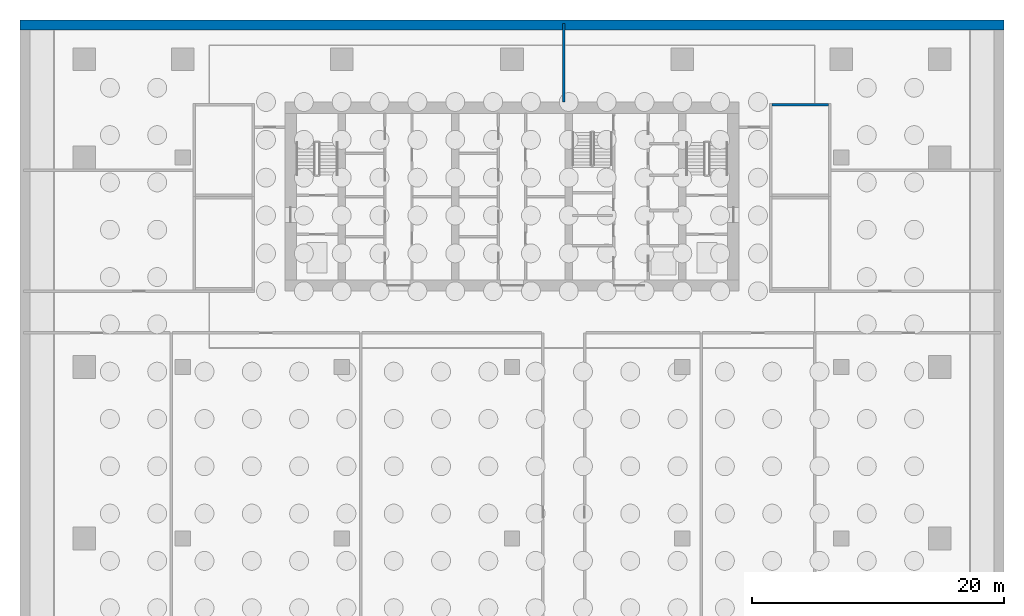
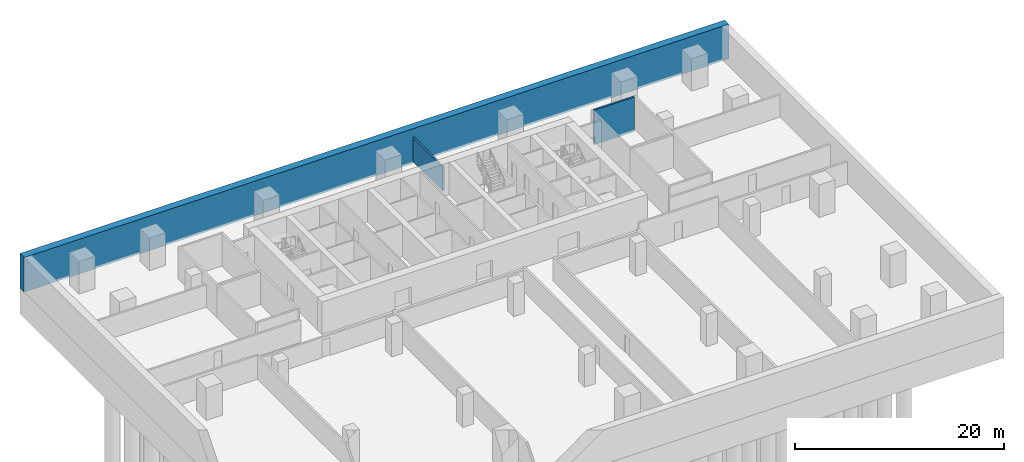
# One storey, part 7 of 10: 3 walls.
"""IFC4 building model written with IfcOpenShell, lengths in metres."""

import ifcopenshell
import ifcopenshell.guid

model = None  # the IFC model being written
_history = None  # IfcOwnerHistory: only IFC2X3 demands one
_inside = {}  # id of a spatial element -> (the spatial element, [elements in it])
_under = {}  # id of a project, library or spatial element -> (it, [spatial elements below it])
_declared = {}  # id of a project -> (the project, [libraries it declares])
_typed = {}  # id of a type object -> (the type object, [elements of that type])
_made_of = {}  # id of a material, layer set ... -> (it, [elements and type objects made of it])


def new_model(schema):
    """Start an empty IFC model of exactly this schema.

    Asked for "IFC4X3", IfcOpenShell would pick the latest addendum, in which some entities
    have other attributes; the version numbers below select the first issue.
    IFC2X3 requires an IfcOwnerHistory on every rooted entity: one is made here for all.
    """
    global model, _history
    if schema == "IFC4X3":
        model = ifcopenshell.file(schema_version=(4, 3, 0, 0))
    else:
        model = ifcopenshell.file(schema=schema)
    _inside.clear()
    _under.clear()
    _declared.clear()
    _typed.clear()
    _made_of.clear()
    _history = None
    if model.schema == "IFC2X3":
        org = make("IfcOrganization", Name="unknown")
        user = make(
            "IfcPersonAndOrganization",
            ThePerson=make("IfcPerson", FamilyName="unknown"),
            TheOrganization=org,
        )
        app = make(
            "IfcApplication",
            ApplicationDeveloper=org,
            Version="unknown",
            ApplicationFullName="unknown",
            ApplicationIdentifier="unknown",
        )
        _history = make(
            "IfcOwnerHistory",
            OwningUser=user,
            OwningApplication=app,
            ChangeAction="ADDED",
            CreationDate=0,
        )
    return model


def make(cls, **values):
    """One entity of the class cls with the attributes given. An attribute that is None is left unset."""
    return model.create_entity(
        cls, **{name: value for name, value in values.items() if value is not None}
    )


def rooted(cls, **values):
    """An entity with a GlobalId (a new one), such as an element, a storey or a relation."""
    return make(cls, GlobalId=ifcopenshell.guid.new(), OwnerHistory=_history, **values)


def si_unit(unit_type, name, prefix=None):
    """IfcSIUnit, for example si_unit("LENGTHUNIT", "METRE", prefix="MILLI")."""
    return make("IfcSIUnit", UnitType=unit_type, Prefix=prefix, Name=name)


def assignment(units):
    """IfcUnitAssignment: the units of a project."""
    return None if units is None else make("IfcUnitAssignment", Units=units)


def point(xyz):
    """IfcCartesianPoint."""
    return None if xyz is None else make("IfcCartesianPoint", Coordinates=xyz)


def direction(xyz):
    """IfcDirection."""
    return None if xyz is None else make("IfcDirection", DirectionRatios=xyz)


def frame(location, z_axis=None, x_axis=None):
    """IfcAxis2Placement3D, a coordinate frame: its origin and axes. An axis left out is left unset."""
    return make(
        "IfcAxis2Placement3D",
        Location=point(location),
        Axis=direction(z_axis),
        RefDirection=direction(x_axis),
    )


def frame_2d(location, x_axis=None):
    """IfcAxis2Placement2D, a coordinate frame in the plane: its origin and x axis."""
    return make(
        "IfcAxis2Placement2D", Location=point(location), RefDirection=direction(x_axis)
    )


def origin():
    """The frame at (0, 0, 0) with its axes left unset."""
    return frame((0.0, 0.0, 0.0))


def place(relative_to, where):
    """IfcLocalPlacement: puts the frame where relative to a parent placement (None: the world)."""
    return make(
        "IfcLocalPlacement", PlacementRelTo=relative_to, RelativePlacement=where
    )


def context(
    kind, dimensions, precision=None, world=None, true_north=None, identifier=None
):
    """IfcGeometricRepresentationContext, for example the 3D "Model" context."""
    return make(
        "IfcGeometricRepresentationContext",
        ContextIdentifier=identifier,
        ContextType=kind,
        CoordinateSpaceDimension=dimensions,
        Precision=precision,
        WorldCoordinateSystem=world,
        TrueNorth=true_north,
    )


def subcontext(parent, identifier, kind, view, scale=None):
    """IfcGeometricRepresentationSubContext, for example "Body" below "Model"."""
    return make(
        "IfcGeometricRepresentationSubContext",
        ContextIdentifier=identifier,
        ContextType=kind,
        ParentContext=parent,
        TargetScale=scale,
        TargetView=view,
    )


def project(units=None, contexts=None):
    """IfcProject with its units and contexts."""
    return rooted(
        "IfcProject",
        Name="project",
        RepresentationContexts=contexts,
        UnitsInContext=assignment(units),
    )


def spatial(cls, under=None, at=None, **own):
    """A site, building, storey or space (cls), placed at a placement, below another one or the project."""
    s = rooted(cls, ObjectPlacement=at, **own)
    if under is not None:
        _under.setdefault(under.id(), (under, []))[1].append(s)
    return s


def profile(cls, at=None, kind="AREA", **sizes):
    """A parametric profile (cls). Its sizes go by their IFC names, for example OverallWidth=200.0."""
    return make(cls, ProfileType=kind, Position=at, **sizes)


def rectangle(**sizes):
    """IfcRectangleProfileDef."""
    return profile("IfcRectangleProfileDef", **sizes)


def extrude(swept, where, along, depth):
    """IfcExtrudedAreaSolid: the profile swept, set in the frame where, extruded along a direction by depth."""
    return make(
        "IfcExtrudedAreaSolid",
        SweptArea=swept,
        Position=where,
        ExtrudedDirection=direction(along),
        Depth=depth,
    )


def shape(context_of_items, identifier, shape_type, items):
    """IfcShapeRepresentation: the items that make up one representation, for example the "Body"."""
    return make(
        "IfcShapeRepresentation",
        ContextOfItems=context_of_items,
        RepresentationIdentifier=identifier,
        RepresentationType=shape_type,
        Items=items,
    )


def material(Name=None, Category=None):
    """IfcMaterial."""
    return make("IfcMaterial", Name=Name, Category=Category)


def layer(
    of_material, thickness, ventilated=None, Name=None, Category=None, Priority=None
):
    """IfcMaterialLayer: one layer of a wall or slab, of a material (None: an air gap)."""
    return make(
        "IfcMaterialLayer",
        Material=of_material,
        LayerThickness=thickness,
        IsVentilated=ventilated,
        Name=Name,
        Category=Category,
        Priority=Priority,
    )


def layer_set(layers, Name=None):
    """IfcMaterialLayerSet."""
    return make("IfcMaterialLayerSet", MaterialLayers=layers, LayerSetName=Name)


def made_of(thing, what):
    """Note that an element or type object is made of a material, layer set ...; save() writes the relation."""
    if what is not None:
        _made_of.setdefault(what.id(), (what, []))[1].append(thing)
    return thing


def type_object(cls, material=None, **own):
    """A type object (cls), such as IfcWallType, which elements share."""
    return made_of(rooted(cls, **own), material)


def element(
    cls,
    number,
    at=None,
    inside=None,
    cuts=None,
    type_object=None,
    material=None,
    context=None,
    identifier="Body",
    shape_type=None,
    held_by="IfcProductDefinitionShape",
    body=None,
    shapes=None,
    **own,
):
    """One element of the class cls, such as IfcWall. Its Tag is "e" and its number.

    at: its placement. inside: the storey or other place that contains it. cuts: it is an
    opening in that element (IfcRelVoidsElement). A single representation is given by context,
    identifier, shape_type and body (its items); several are given by shapes. held_by: the class
    of the entity that holds the representations. save() writes the other relations.
    """
    e = rooted(cls, Tag="e%d" % number, ObjectPlacement=at, **own)
    if body is not None:
        shapes = [shape(context, identifier, shape_type, body)]
    if shapes is not None:
        e.Representation = make(held_by, Representations=shapes)
    if inside is not None:
        _inside.setdefault(inside.id(), (inside, []))[1].append(e)
    if cuts is not None:
        rooted(
            "IfcRelVoidsElement", RelatingBuildingElement=cuts, RelatedOpeningElement=e
        )
    if type_object is not None:
        _typed.setdefault(type_object.id(), (type_object, []))[1].append(e)
    return made_of(e, material)


def aggregate(whole, parts):
    """IfcRelAggregates: a whole, such as a stair, and the parts it consists of."""
    return rooted("IfcRelAggregates", RelatingObject=whole, RelatedObjects=parts)


def save(model, path):
    """Write the relations noted so far, then the file.

    IfcRelAggregates (storeys below a building ...), IfcRelContainedInSpatialStructure (elements
    in a storey), IfcRelDefinesByType, IfcRelAssociatesMaterial and IfcRelDeclares: one each for
    every whole, place, type object, material and project.
    """
    for whole, parts in _under.values():
        aggregate(whole, parts)
    for where, things in _inside.values():
        rooted(
            "IfcRelContainedInSpatialStructure",
            RelatedElements=things,
            RelatingStructure=where,
        )
    for kind, things in _typed.values():
        rooted("IfcRelDefinesByType", RelatedObjects=things, RelatingType=kind)
    for what, things in _made_of.values():
        rooted("IfcRelAssociatesMaterial", RelatedObjects=things, RelatingMaterial=what)
    for by, libraries in _declared.values():
        rooted("IfcRelDeclares", RelatingContext=by, RelatedDefinitions=libraries)
    model.write(path)


model = new_model("IFC4")

# Units and contexts
model_context = context("Model", 3, precision=1e-05, world=origin(), true_north=direction((0.0, 1.0)))
body_context = subcontext(model_context, "Body", "Model", "MODEL_VIEW")
ifc_project = project(units=[si_unit("LENGTHUNIT", "METRE"), si_unit("AREAUNIT", "SQUARE_METRE"), si_unit("VOLUMEUNIT", "CUBIC_METRE"), si_unit("PLANEANGLEUNIT", "RADIAN"), si_unit("MASSUNIT", "GRAM", prefix="KILO")], contexts=[model_context])

# Site, building, storey
site_placement = place(None, origin())
site = spatial("IfcSite", under=ifc_project, at=site_placement, CompositionType="ELEMENT")
building_placement = place(site_placement, origin())
building = spatial("IfcBuilding", under=site, at=building_placement, Name="Rattan Terrace Tower", CompositionType="ELEMENT")
storey_placement = place(building_placement, frame((0.0, 0.0, -13.5)))
storey = spatial("IfcBuildingStorey", under=building, at=storey_placement, Name="B3", CompositionType="ELEMENT", Elevation=-13.5)

# Walls
ifc_material_1 = material(Name="Concrete block wall, plastered", Category="concrete")
ifc_layer_1 = layer(ifc_material_1, 0.199951171875)
ifc_layer_set_1 = layer_set([ifc_layer_1], Name="Floors Plant Wall 200")
wall_type_1 = type_object("IfcWallType", Name="Floors Plant Wall 200", PredefinedType="PARTITIONING", material=ifc_layer_set_1)
wall_1_placement = place(storey_placement, frame((4.10009765625, 13.739990234375, 0.0), z_axis=(0.0, 0.0, 1.0), x_axis=(0.0, -1.0, 0.0)))
element("IfcWall", 1, at=wall_1_placement, inside=storey, type_object=wall_type_1, Name="pt-B3-018", PredefinedType="PARTITIONING", context=body_context, shape_type="SweptSolid", body=[
    extrude(rectangle(XDim=6.239990234375, YDim=0.199951171875, at=frame_2d((3.1201171875, 0.0))), origin(), (0.0, 0.0, 1.0), 2.800048828125),
])
ifc_material_2 = material(Name="Concrete C40/50", Category="concrete")
ifc_layer_2 = layer(ifc_material_2, 0.800048828125)
ifc_layer_set_2 = layer_set([ifc_layer_2], Name="Frame basement wall 800")
wall_type_2 = type_object("IfcWallType", Name="Frame basement wall 800", PredefinedType="SOLIDWALL", material=ifc_layer_set_2)
wall_2_placement = place(storey_placement, frame((-39.0, 13.60009765625, -0.25), z_axis=(0.0, 0.0, 1.0), x_axis=(1.0, 0.0, 0.0)))
element("IfcWall", 2, at=wall_2_placement, inside=storey, type_object=wall_type_2, Name="Basement wall", PredefinedType="SOLIDWALL", context=body_context, shape_type="SweptSolid", body=[
    extrude(rectangle(XDim=78.0, YDim=0.800048828125, at=frame_2d((39.0, 0.0))), origin(), (0.0, 0.0, 1.0), 4.050048828125),
])
ifc_material_3 = material(Name="Concrete C40/50", Category="concrete")
ifc_layer_3 = layer(ifc_material_3, 0.199951171875)
ifc_layer_set_3 = layer_set([ifc_layer_3], Name="Podium exit stair shaft wall 200")
wall_type_3 = type_object("IfcWallType", Name="Podium exit stair shaft wall 200", PredefinedType="SHEAR", material=ifc_layer_set_3)
wall_3_placement = place(storey_placement, frame((20.60009765625, 7.300048828125, -0.25), z_axis=(0.0, 0.0, 1.0), x_axis=(1.0, 0.0, 0.0)))
element("IfcWall", 3, at=wall_3_placement, inside=storey, type_object=wall_type_3, Name="B3 stair S7 shaft wall", PredefinedType="SHEAR", context=body_context, shape_type="SweptSolid", body=[
    extrude(rectangle(XDim=4.5, YDim=0.199951171875, at=frame_2d((2.25, 0.0))), origin(), (0.0, 0.0, 1.0), 4.050048828125),
])

save(model, "model.ifc")
